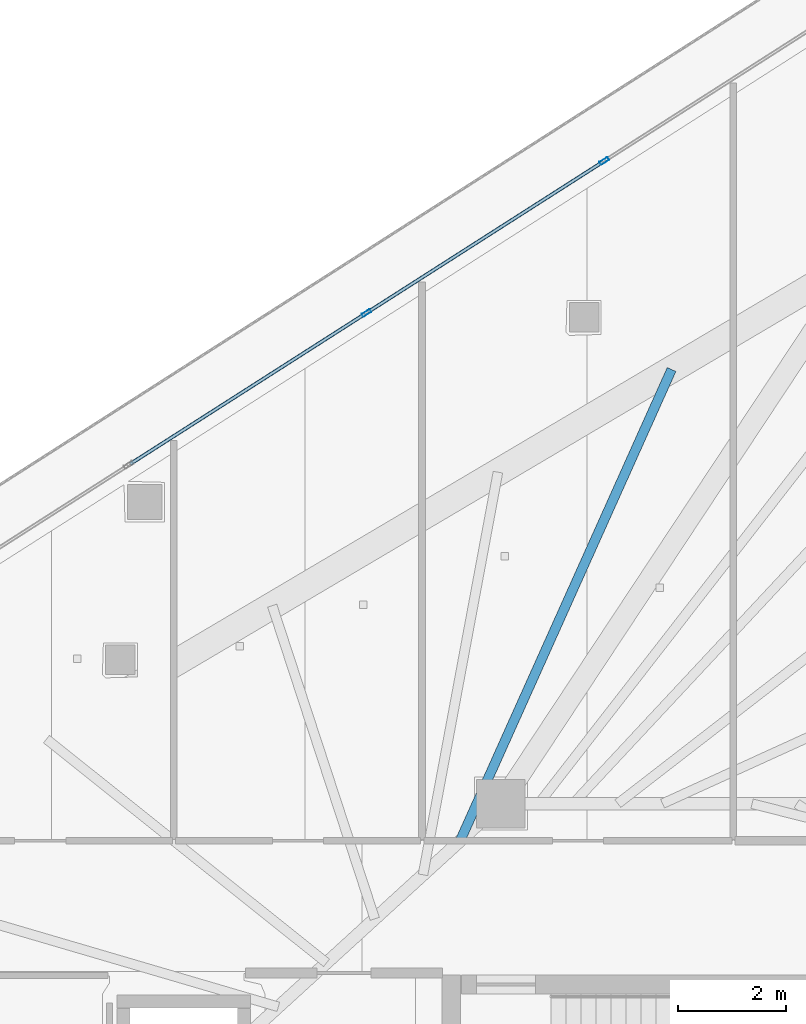
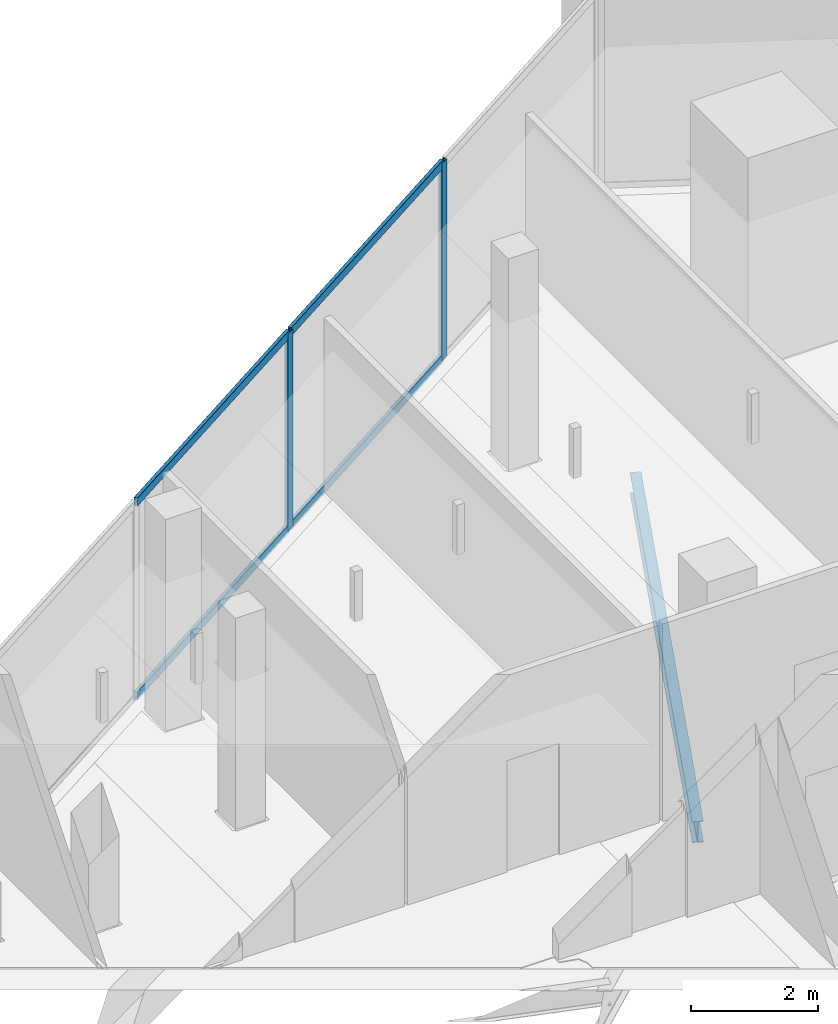
# One storey, part 16 of 33: 6 members, 1 beam, 1 element without a shape of its own.
"""IFC4 building model written with IfcOpenShell, lengths in metres."""

from ifc_helpers import new_model, si_unit, direction, frame, origin, origin_2d, place, context, subcontext, project, spatial, hollow_rectangle, i_section, extrude, material, layer, layer_set, material_profile, profile_set, type_object, element, aggregate, save


model = new_model("IFC4")

# Units and contexts
model_context = context("Model", 3, precision=1e-05, world=origin(), true_north=direction((0.0, 1.0)))
body_context = subcontext(model_context, "Body", "Model", "MODEL_VIEW")
ifc_project = project(units=[si_unit("LENGTHUNIT", "METRE"), si_unit("AREAUNIT", "SQUARE_METRE"), si_unit("VOLUMEUNIT", "CUBIC_METRE"), si_unit("PLANEANGLEUNIT", "RADIAN"), si_unit("MASSUNIT", "GRAM", prefix="KILO")], contexts=[model_context])

# Site, building, storey
site_placement = place(None, origin())
site = spatial("IfcSite", under=ifc_project, at=site_placement, CompositionType="ELEMENT")
building_placement = place(site_placement, origin())
building = spatial("IfcBuilding", under=site, at=building_placement, Name="Qorvath Tower", CompositionType="ELEMENT")
storey_placement = place(building_placement, frame((0.0, 0.0, 237.449951171875)))
storey = spatial("IfcBuildingStorey", under=building, at=storey_placement, Name="L55", CompositionType="ELEMENT", Elevation=237.449951171875)

# Beam
ifc_material_1 = material(Name="Steel ASTM A992 Grade 50", Category="steel")
ifc_material_profile_1 = material_profile(ifc_material_1, i_section(OverallWidth=0.177978515625, OverallDepth=0.406005859375, WebThickness=0.0078125, FlangeThickness=0.0126953125, FilletRadius=0.010986328125, at=origin_2d()), Name="W16x40")
ifc_profile_set_1 = profile_set([ifc_material_profile_1], Name="Steel ASTM A992 Grade 50")
beam_type = type_object("IfcBeamType", Name="BM-FJ3", PredefinedType="JOIST", material=ifc_profile_set_1)
beam_placement = place(storey_placement, frame((-24.35888671875, 10.757080078125, -0.47314453125), z_axis=(0.409327209141, 0.912387656568, 0.0), x_axis=(-0.912387656568, 0.409327209141, 0.0)))
element("IfcBeam", 1, at=beam_placement, inside=storey, type_object=beam_type, Name="Composite Floor Joist NW7 L55", PredefinedType="JOIST", context=body_context, shape_type="SweptSolid", body=[
    extrude(i_section(OverallWidth=0.177978515625, OverallDepth=0.406005859375, WebThickness=0.0078125, FlangeThickness=0.0126953125, FilletRadius=0.010986328125, at=origin_2d()), origin(), (0.0, 0.0, 1.0), 9.611083984375),
])

# Curtain wall, members
ifc_material_2 = material(Name="Anodised aluminium and triple low-E glass", Category="aluminium")
ifc_layer = layer(ifc_material_2, 0.179931640625)
ifc_layer_set = layer_set([ifc_layer], Name="CW-SYS-3")
curtain_wall_type = type_object("IfcCurtainWallType", Name="CW-SYS-3", PredefinedType="NOTDEFINED", material=ifc_layer_set)
curtain_wall_placement = place(storey_placement, origin())
curtain_wall = element("IfcCurtainWall", 2, at=curtain_wall_placement, inside=storey, type_object=curtain_wall_type, Name="Curtain Wall CW-3 CW-T-L55-16.1", PredefinedType="NOTDEFINED")
ifc_material_3 = material(Name="Anodised aluminium 6063-T6", Category="aluminium")
ifc_material_profile_2 = material_profile(ifc_material_3, hollow_rectangle(XDim=0.06494140625, YDim=0.179931640625, WallThickness=0.00341796875, InnerFilletRadius=0.00341796875, OuterFilletRadius=0.007080078125, at=origin_2d()), Name="CWM 180x65")
ifc_profile_set_2 = profile_set([ifc_material_profile_2], Name="Anodised aluminium 6063-T6")
member_type_1 = type_object("IfcMemberType", Name="CWM-180", PredefinedType="MULLION", material=ifc_profile_set_2)
member_1_placement = place(storey_placement, frame((-21.678466796875, 23.4033203125, 0.0), z_axis=(0.0, 0.0, 1.0), x_axis=(0.53852851579, -0.842607285561, 0.0)))
member_1 = element("IfcMember", 3, at=member_1_placement, type_object=member_type_1, Name="CW-3 mullion 2", PredefinedType="MULLION", context=body_context, shape_type="SweptSolid", body=[
    extrude(hollow_rectangle(XDim=0.06494140625, YDim=0.179931640625, WallThickness=0.00341796875, InnerFilletRadius=0.00341796875, OuterFilletRadius=0.007080078125, at=origin_2d()), origin(), (0.0, 0.0, 1.0), 3.780029296875),
])
member_2_placement = place(storey_placement, frame((-26.10009765625, 20.5771484375, 0.0), z_axis=(0.0, 0.0, 1.0), x_axis=(0.53852851579, -0.842607285561, 0.0)))
member_2 = element("IfcMember", 4, at=member_2_placement, type_object=member_type_1, Name="CW-3 mullion 3", PredefinedType="MULLION", context=body_context, shape_type="SweptSolid", body=[
    extrude(hollow_rectangle(XDim=0.06494140625, YDim=0.179931640625, WallThickness=0.00341796875, InnerFilletRadius=0.00341796875, OuterFilletRadius=0.007080078125, at=origin_2d()), origin(), (0.0, 0.0, 1.0), 3.780029296875),
])
ifc_material_4 = material(Name="Anodised aluminium 6063-T6", Category="aluminium")
ifc_material_profile_3 = material_profile(ifc_material_4, hollow_rectangle(XDim=0.06494140625, YDim=0.159912109375, WallThickness=0.00341796875, InnerFilletRadius=0.00341796875, OuterFilletRadius=0.007080078125, at=origin_2d()), Name="CWT 160x65")
ifc_profile_set_3 = profile_set([ifc_material_profile_3], Name="Anodised aluminium 6063-T6")
member_type_2 = type_object("IfcMemberType", Name="CWT-160", PredefinedType="USERDEFINED", material=ifc_profile_set_3)
member_3_placement = place(storey_placement, frame((-21.705810546875, 23.3857421875, 0.032470703125), z_axis=(-0.842606602471, -0.538529584584, 0.0), x_axis=(0.538529584584, -0.842606602471, 0.0)))
member_3 = element("IfcMember", 5, at=member_3_placement, type_object=member_type_2, Name="CW-3 transom 2.1", ObjectType="TRANSOM", PredefinedType="USERDEFINED", context=body_context, shape_type="SweptSolid", body=[
    extrude(hollow_rectangle(XDim=0.06494140625, YDim=0.159912109375, WallThickness=0.00341796875, InnerFilletRadius=0.00341796875, OuterFilletRadius=0.007080078125, at=origin_2d()), origin(), (0.0, 0.0, 1.0), 5.1826171875),
])
member_4_placement = place(storey_placement, frame((-21.705810546875, 23.3857421875, 3.74755859375), z_axis=(-0.842606602471, -0.538529584584, 0.0), x_axis=(0.538529584584, -0.842606602471, 0.0)))
member_4 = element("IfcMember", 6, at=member_4_placement, type_object=member_type_2, Name="CW-3 transom 2.2", ObjectType="TRANSOM", PredefinedType="USERDEFINED", context=body_context, shape_type="SweptSolid", body=[
    extrude(hollow_rectangle(XDim=0.06494140625, YDim=0.159912109375, WallThickness=0.00341796875, InnerFilletRadius=0.00341796875, OuterFilletRadius=0.007080078125, at=origin_2d()), origin(), (0.0, 0.0, 1.0), 5.1826171875),
])
member_5_placement = place(storey_placement, frame((-26.12744140625, 20.559814453125, 0.032470703125), z_axis=(-0.842606602471, -0.538529584584, 0.0), x_axis=(0.538529584584, -0.842606602471, 0.0)))
member_5 = element("IfcMember", 7, at=member_5_placement, type_object=member_type_2, Name="CW-3 transom 3.1", ObjectType="TRANSOM", PredefinedType="USERDEFINED", context=body_context, shape_type="SweptSolid", body=[
    extrude(hollow_rectangle(XDim=0.06494140625, YDim=0.159912109375, WallThickness=0.00341796875, InnerFilletRadius=0.00341796875, OuterFilletRadius=0.007080078125, at=origin_2d()), origin(), (0.0, 0.0, 1.0), 5.1826171875),
])
member_6_placement = place(storey_placement, frame((-26.12744140625, 20.559814453125, 3.74755859375), z_axis=(-0.842606602471, -0.538529584584, 0.0), x_axis=(0.538529584584, -0.842606602471, 0.0)))
member_6 = element("IfcMember", 8, at=member_6_placement, type_object=member_type_2, Name="CW-3 transom 3.2", ObjectType="TRANSOM", PredefinedType="USERDEFINED", context=body_context, shape_type="SweptSolid", body=[
    extrude(hollow_rectangle(XDim=0.06494140625, YDim=0.159912109375, WallThickness=0.00341796875, InnerFilletRadius=0.00341796875, OuterFilletRadius=0.007080078125, at=origin_2d()), origin(), (0.0, 0.0, 1.0), 5.1826171875),
])
aggregate(curtain_wall, [member_1, member_2, member_3, member_4, member_5, member_6])

save(model, "model.ifc")
